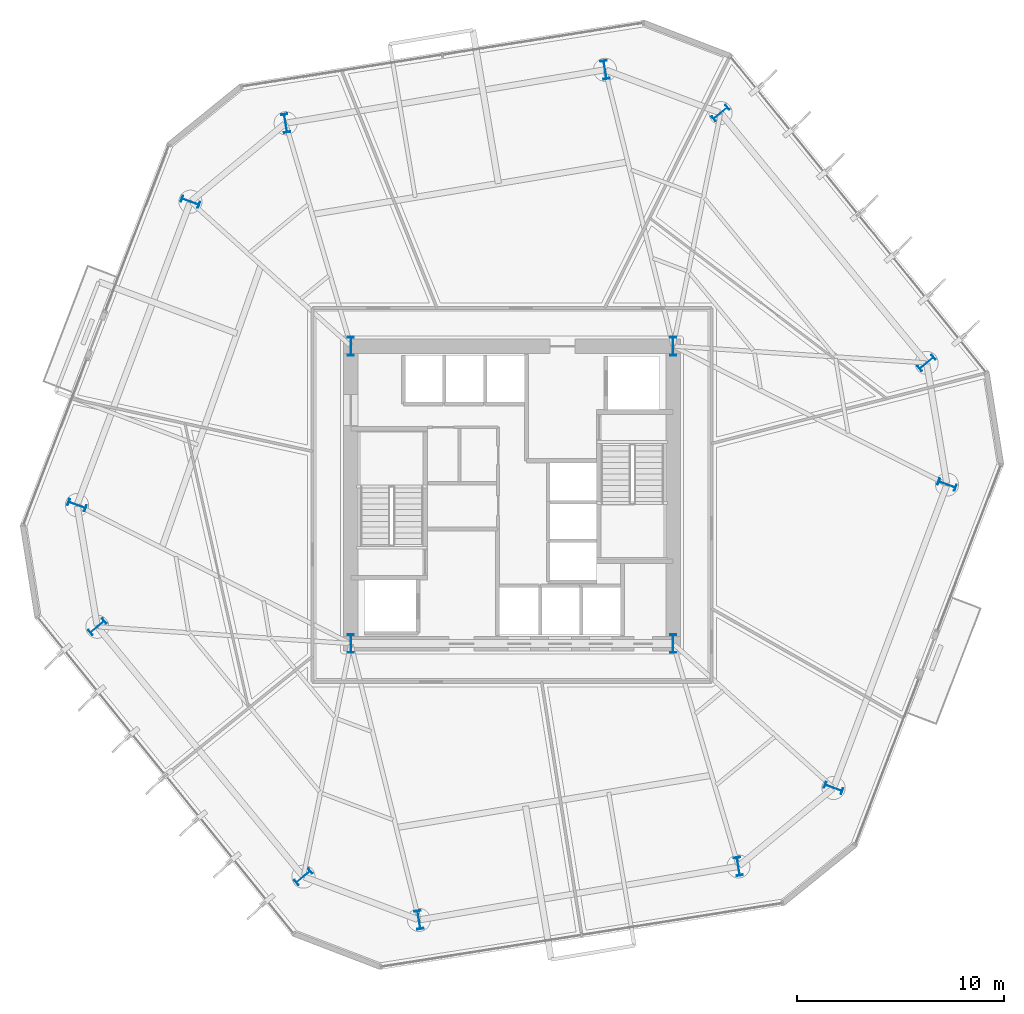
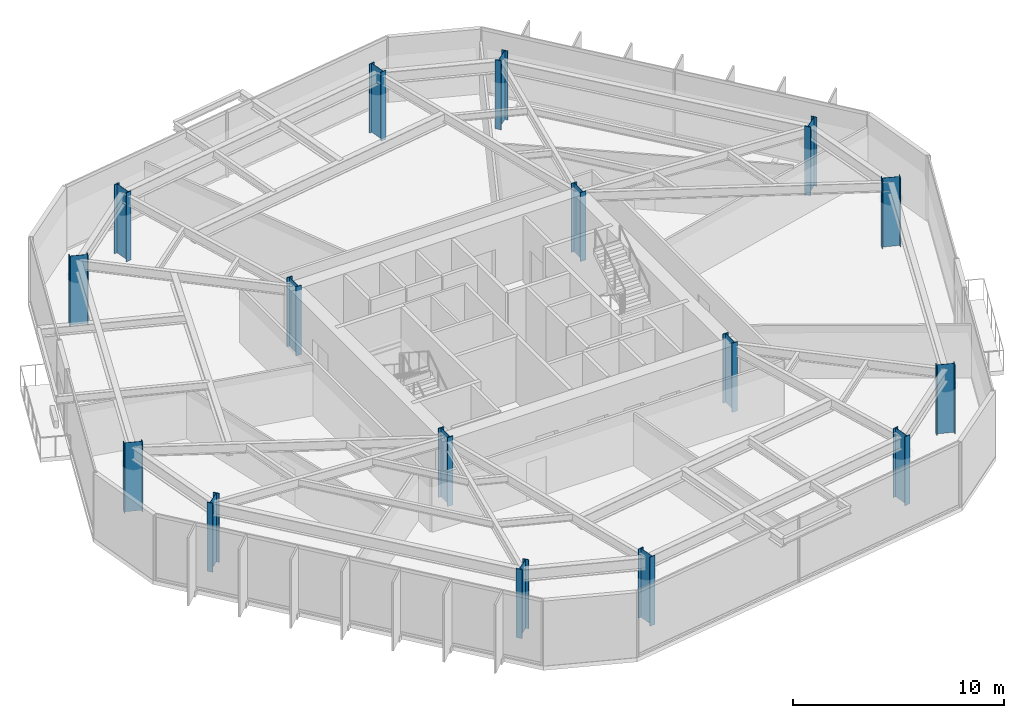
# One storey, part 1 of 11: 16 columns.
"""IFC4 building model written with IfcOpenShell, lengths in metres."""

from ifc_helpers import new_model, si_unit, direction, frame, origin, origin_2d, place, context, subcontext, project, spatial, i_section, extrude, material, material_profile, profile_set, type_object, element, save


model = new_model("IFC4")

# Units and contexts
model_context = context("Model", 3, precision=1e-05, world=origin(), true_north=direction((0.0, 1.0)))
body_context = subcontext(model_context, "Body", "Model", "MODEL_VIEW")
ifc_project = project(units=[si_unit("LENGTHUNIT", "METRE"), si_unit("AREAUNIT", "SQUARE_METRE"), si_unit("VOLUMEUNIT", "CUBIC_METRE"), si_unit("PLANEANGLEUNIT", "RADIAN"), si_unit("MASSUNIT", "GRAM", prefix="KILO")], contexts=[model_context])

# Site, building, storey
site_placement = place(None, origin())
site = spatial("IfcSite", under=ifc_project, at=site_placement, CompositionType="ELEMENT")
building_placement = place(site_placement, origin())
building = spatial("IfcBuilding", under=site, at=building_placement, Name="Kranzbogen Civic Tower", CompositionType="ELEMENT")
storey_placement = place(building_placement, frame((0.0, 0.0, 56.0)))
storey = spatial("IfcBuildingStorey", under=building, at=storey_placement, Name="L13", CompositionType="ELEMENT", Elevation=56.0)

# Columns
ifc_material = material(Name="Steel S460", Category="steel")
ifc_material_profile = material_profile(ifc_material, i_section(OverallWidth=0.302001953125, OverallDepth=0.909912109375, WebThickness=0.02099609375, FlangeThickness=0.0400390625, at=origin_2d()), Name="HEM 900")
ifc_profile_set = profile_set([ifc_material_profile], Name="Steel S460")
column_type = type_object("IfcColumnType", Name="Structural Column HEM 900", PredefinedType="COLUMN", material=ifc_profile_set)
for number, where, z_axis, x_axis, name in (
    (1, (17.199951171875, 17.800048828125, 0.0), (0.0, 0.0, 1.0), (1.0, 0.0, 0.0), "L13 composite core corner column 1"),
    (2, (32.800048828125, 17.800048828125, 0.0), (0.0, 0.0, 1.0), (1.0, 0.0, 0.0), "L13 composite core corner column 2"),
    (3, (32.800048828125, 32.199951171875, 0.0), (0.0, 0.0, 1.0), (1.0, 0.0, 0.0), "L13 composite core corner column 3"),
    (4, (17.199951171875, 32.199951171875, 0.0), (0.0, 0.0, 1.0), (1.0, 0.0, 0.0), "L13 composite core corner column 4"),
    (5, (45.072021484375, 31.385986328125, 0.0), (0.0, 0.0, 1.0), (-0.636078220278, 0.771624583388, 0.0), "L13 tower perimeter tube column 01"),
    (6, (35.09912109375, 43.48388671875, 0.0), (0.0, 0.0, 1.0), (-0.636078220278, 0.771624583388, 0.0), "L13 tower perimeter tube column 02"),
    (7, (29.5048828125, 45.575927734375, 0.0), (0.0, 0.0, 1.0), (0.986285601537, 0.165047605861, 0.0), "L13 tower perimeter tube column 03"),
    (8, (14.0419921875, 42.988037109375, 0.0), (0.0, 0.0, 1.0), (0.986285601537, 0.165047605861, 0.0), "L13 tower perimeter tube column 04"),
    (9, (9.43310546875, 39.18896484375, 0.0), (0.0, 0.0, 1.0), (0.350207381259, 0.936672189248, 0.0), "L13 tower perimeter tube column 05"),
    (10, (3.943115234375, 24.50390625, 0.0), (0.0, 0.0, 1.0), (0.350207381259, 0.936672189248, 0.0), "L13 tower perimeter tube column 06"),
    (11, (4.927978515625, 18.614013671875, 0.0), (0.0, 0.0, 1.0), (-0.636078220278, 0.771624583388, 0.0), "L13 tower perimeter tube column 07"),
    (12, (14.90087890625, 6.51611328125, 0.0), (0.0, 0.0, 1.0), (-0.636078220278, 0.771624583388, 0.0), "L13 tower perimeter tube column 08"),
    (13, (20.4951171875, 4.424072265625, 0.0), (0.0, 0.0, 1.0), (0.986285601537, 0.165047605861, 0.0), "L13 tower perimeter tube column 09"),
    (14, (35.9580078125, 7.011962890625, 0.0), (0.0, 0.0, 1.0), (0.986285601537, 0.165047605861, 0.0), "L13 tower perimeter tube column 10"),
    (15, (40.56689453125, 10.81103515625, 0.0), (0.0, 0.0, 1.0), (0.350207381259, 0.936672189248, 0.0), "L13 tower perimeter tube column 11"),
    (16, (46.056884765625, 25.49609375, 0.0), (0.0, 0.0, 1.0), (0.350207381259, 0.936672189248, 0.0), "L13 tower perimeter tube column 12"),
):
    element("IfcColumn", number, at=place(storey_placement, frame(where, z_axis=z_axis, x_axis=x_axis)), inside=storey, type_object=column_type, Name=name, PredefinedType="COLUMN", context=body_context, shape_type="SweptSolid", body=[
        extrude(i_section(OverallWidth=0.302001953125, OverallDepth=0.909912109375, WebThickness=0.02099609375, FlangeThickness=0.0400390625, at=origin_2d()), origin(), (0.0, 0.0, 1.0), 4.0),
    ])

save(model, "model.ifc")
